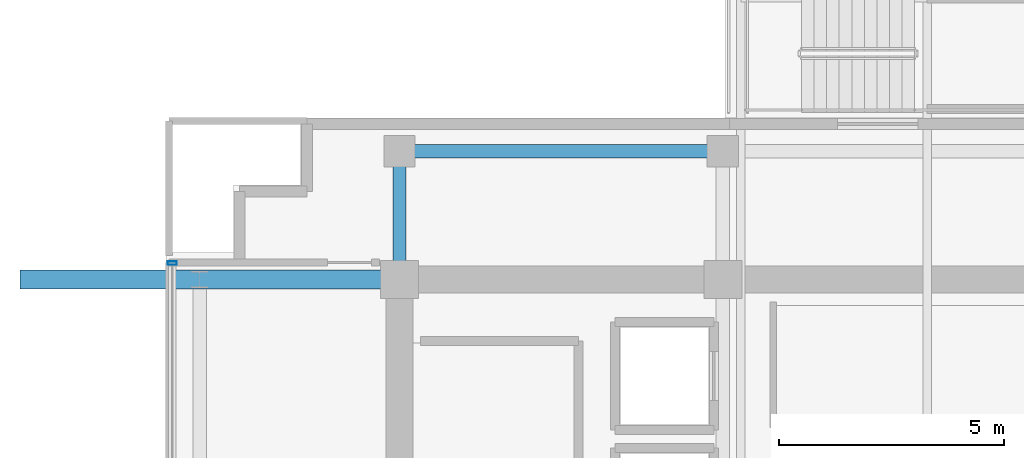
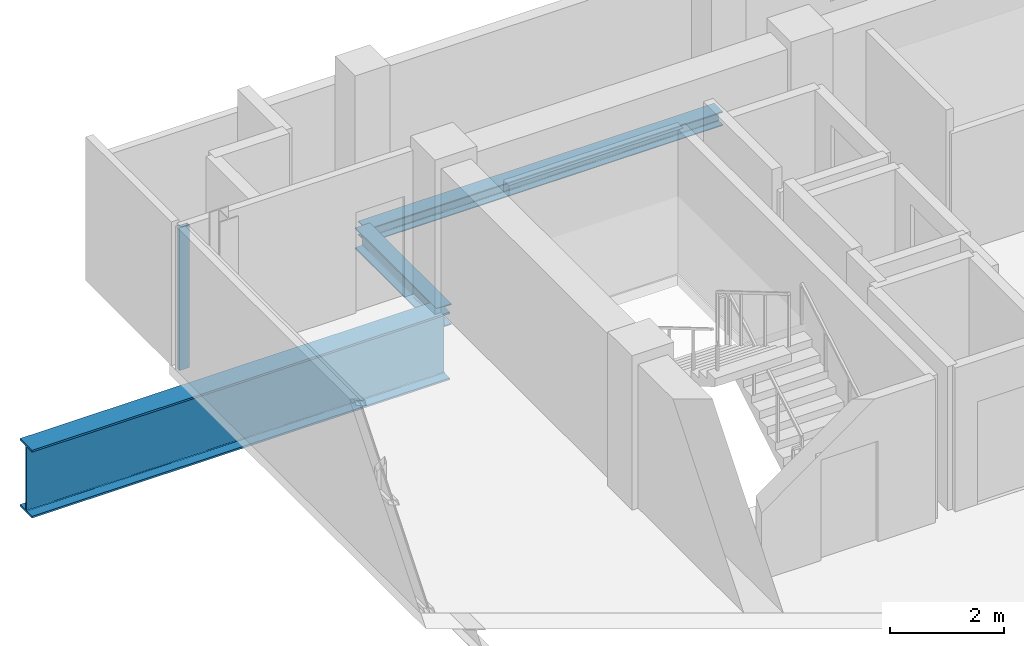
# One storey, part 10 of 23: 3 beams, 1 member, 1 element without a shape of its own.
"""IFC4 building model written with IfcOpenShell, lengths in metres."""

from ifc_helpers import new_model, si_unit, direction, frame, origin, origin_2d, place, context, subcontext, project, spatial, hollow_rectangle, i_section, extrude, source, transform, mapped, material, layer, layer_set, material_profile, profile_set, type_object, element, aggregate, save


model = new_model("IFC4")

# Units and contexts
model_context = context("Model", 3, precision=1e-05, world=origin(), true_north=direction((0.0, 1.0)))
body_context = subcontext(model_context, "Body", "Model", "MODEL_VIEW")
ifc_project = project(units=[si_unit("LENGTHUNIT", "METRE"), si_unit("AREAUNIT", "SQUARE_METRE"), si_unit("VOLUMEUNIT", "CUBIC_METRE"), si_unit("PLANEANGLEUNIT", "RADIAN"), si_unit("MASSUNIT", "GRAM", prefix="KILO")], contexts=[model_context])

# Site, building, storey
site_placement = place(None, origin())
site = spatial("IfcSite", under=ifc_project, at=site_placement, CompositionType="ELEMENT")
building_placement = place(site_placement, origin())
building = spatial("IfcBuilding", under=site, at=building_placement, Name="Zarnakvel Exchange Tower", CompositionType="ELEMENT")
storey_placement = place(building_placement, frame((0.0, 0.0, 232.0)))
storey = spatial("IfcBuildingStorey", under=building, at=storey_placement, Name="L65", CompositionType="ELEMENT", Elevation=232.0)

# Beams
ifc_material_1 = material(Name="Steel S355", Category="steel")
ifc_material_profile_1 = material_profile(ifc_material_1, i_section(OverallWidth=0.300048828125, OverallDepth=0.449951171875, WebThickness=0.013916015625, FlangeThickness=0.02587890625, FilletRadius=0.027099609375, at=origin_2d()))
ifc_profile_set_1 = profile_set([ifc_material_profile_1], Name="Steel S355")
beam_type_1 = type_object("IfcBeamType", Name="G-07", PredefinedType="BEAM", material=ifc_profile_set_1)
beam_1_placement = place(storey_placement, frame((-14.39990234375, 13.5, -0.449951171875), z_axis=(0.0, 1.0, 0.0), x_axis=(-1.0, 0.0, 0.0)))
element("IfcBeam", 1, at=beam_1_placement, inside=storey, type_object=beam_type_1, Name="L65 Tower N-S Frame Beam", PredefinedType="BEAM", context=body_context, shape_type="SweptSolid", body=[
    extrude(i_section(OverallWidth=0.300048828125, OverallDepth=0.449951171875, WebThickness=0.013916015625, FlangeThickness=0.02587890625, FilletRadius=0.027099609375, at=origin_2d()), origin(), (0.0, 0.0, 1.0), 2.85009765625),
])
ifc_material_profile_2 = material_profile(ifc_material_1, i_section(OverallWidth=0.300048828125, OverallDepth=0.300048828125, WebThickness=0.010986328125, FlangeThickness=0.01904296875, FilletRadius=0.027099609375, at=origin_2d()))
ifc_profile_set_2 = profile_set([ifc_material_profile_2], Name="Steel S355")
beam_type_2 = type_object("IfcBeamType", Name="SP-03", PredefinedType="SPANDREL", material=ifc_profile_set_2)
beam_2_placement = place(storey_placement, frame((-14.39990234375, 16.35009765625, -0.375), z_axis=(1.0, 0.0, 0.0), x_axis=(0.0, 1.0, 0.0)))
element("IfcBeam", 2, at=beam_2_placement, inside=storey, type_object=beam_type_2, Name="L65 Tower E-W Frame Beam", PredefinedType="SPANDREL", context=body_context, shape_type="SweptSolid", body=[
    extrude(i_section(OverallWidth=0.300048828125, OverallDepth=0.300048828125, WebThickness=0.010986328125, FlangeThickness=0.01904296875, FilletRadius=0.027099609375, at=origin_2d()), origin(), (0.0, 0.0, 1.0), 7.199951171875),
])
ifc_material_2 = material(Name="Steel S460", Category="steel")
ifc_material_profile_3 = material_profile(ifc_material_2, i_section(OverallWidth=0.419921875, OverallDepth=1.449951171875, WebThickness=0.02392578125, FlangeThickness=0.0400390625, FilletRadius=0.030029296875, at=origin_2d()))
ifc_profile_set_3 = profile_set([ifc_material_profile_3], Name="Steel S460")
beam_type_3 = type_object("IfcBeamType", Name="TG-01", PredefinedType="BEAM", material=ifc_profile_set_3)
beam_3_placement = place(storey_placement, frame((-22.85009765625, 13.5, -0.949951171875), z_axis=(1.0, 0.0, 0.0), x_axis=(0.0, 1.0, 0.0)))
element("IfcBeam", 3, at=beam_3_placement, inside=storey, type_object=beam_type_3, Name="L65 Setback E-W Transfer Girder TW-F", PredefinedType="BEAM", context=body_context, shape_type="SweptSolid", body=[
    extrude(i_section(OverallWidth=0.419921875, OverallDepth=1.449951171875, WebThickness=0.02392578125, FlangeThickness=0.0400390625, FilletRadius=0.030029296875, at=origin_2d()), origin(), (0.0, 0.0, 1.0), 8.4501953125),
])

# Curtain wall, member
ifc_material_3 = material(Name="Architectural Bronze Anodised Aluminium", Category="aluminium")
ifc_layer = layer(ifc_material_3, 0.199951171875)
ifc_layer_set = layer_set([ifc_layer], Name="Architectural Bronze Anodised Aluminium")
curtain_wall_type = type_object("IfcCurtainWallType", Name="CW-04", PredefinedType="NOTDEFINED", material=ifc_layer_set)
curtain_wall_placement = place(storey_placement, origin())
curtain_wall = element("IfcCurtainWall", 4, at=curtain_wall_placement, inside=storey, type_object=curtain_wall_type, Name="L65 Curtain Wall CW-L65-W1 (CW-04)", PredefinedType="NOTDEFINED")
ifc_material_profile_4 = material_profile(ifc_material_3, hollow_rectangle(XDim=0.199951171875, YDim=0.074951171875, WallThickness=0.0048828125, at=origin_2d()))
ifc_profile_set_4 = profile_set([ifc_material_profile_4], Name="Architectural Bronze Anodised Aluminium")
member_type = type_object("IfcMemberType", Name="CWM-04", PredefinedType="MULLION", material=ifc_profile_set_4)
shared_shape = source(origin(), body_context, "Body", "SweptSolid", [
    extrude(hollow_rectangle(XDim=0.199951171875, YDim=0.074951171875, WallThickness=0.0048828125, at=origin_2d()), origin(), (0.0, 0.0, 1.0), 3.054931640625),
])
member_placement = place(storey_placement, frame((-19.4599609375, 13.862548828125, 0.0), z_axis=(0.0, 0.0, 1.0), x_axis=(-1.0, 0.0, 0.0)))
member = element("IfcMember", 5, at=member_placement, type_object=member_type, Name="CW-04 mullion 5", PredefinedType="MULLION", context=body_context, shape_type="MappedRepresentation", body=[
    mapped(shared_shape, transform((0.0, 0.0, 0.0), x_axis=(1.0, 0.0, 0.0), y_axis=(0.0, 1.0, 0.0), z_axis=(0.0, 0.0, 1.0), scale=1.0)),
])
aggregate(curtain_wall, [member])

save(model, "model.ifc")
